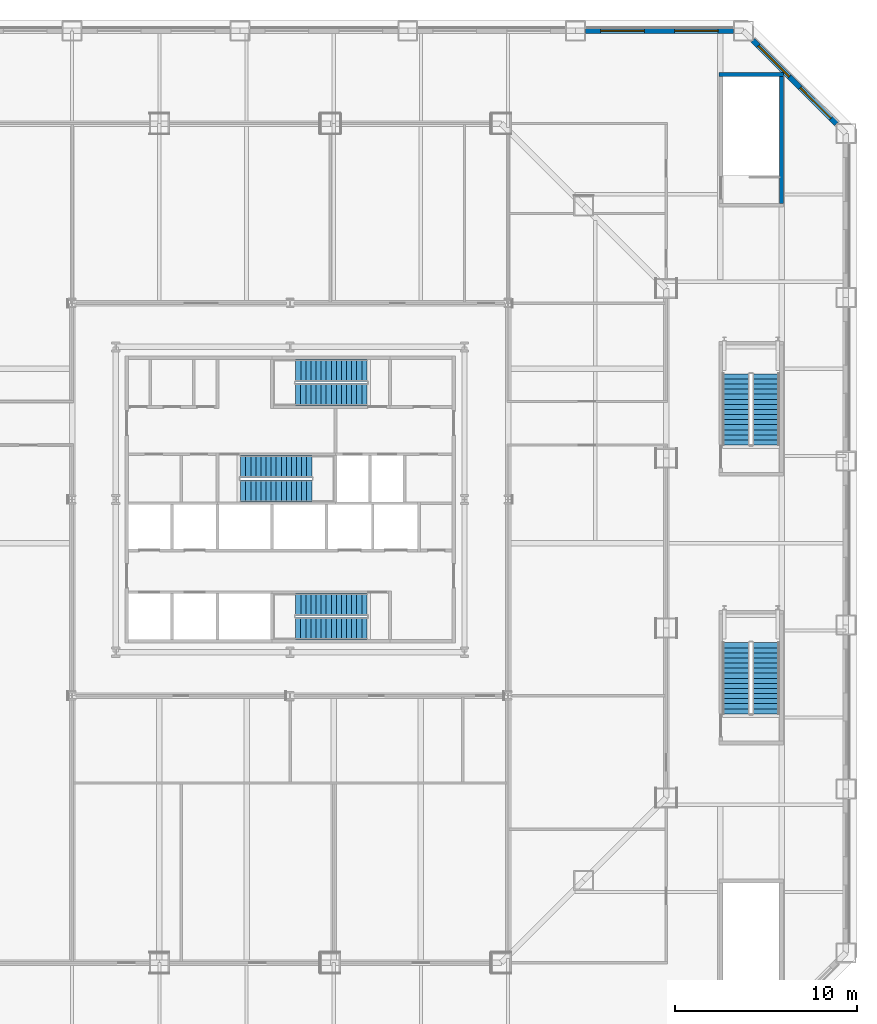
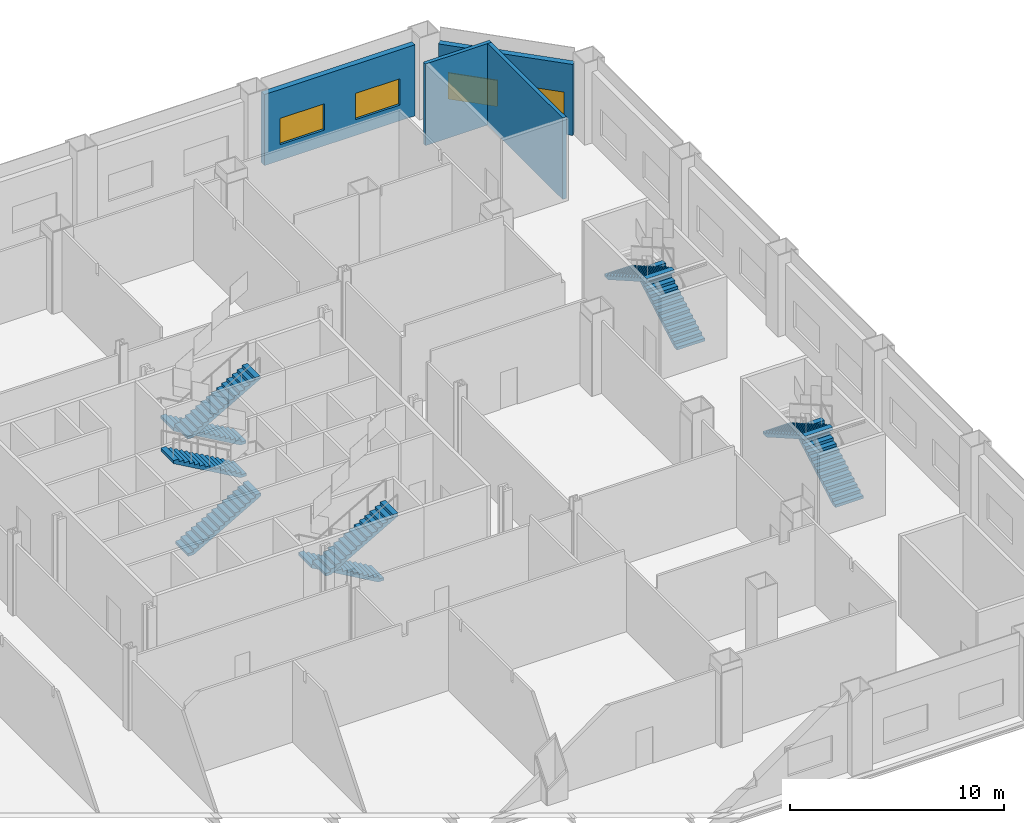
# One storey, part 16 of 22: 10 stair flights, 4 walls, 4 windows, 4 openings, 5 elements without a shape of their own.
"""IFC4 building model written with IfcOpenShell, lengths in metres."""

from ifc_helpers import new_model, si_unit, direction, frame, frame_2d, origin, place, context, subcontext, project, spatial, polyline, rectangle, outline, extrude, material, layer, layer_set, type_object, element, fill, aggregate, save


model = new_model("IFC4")

# Units and contexts
model_context = context("Model", 3, precision=1e-05, world=origin(), true_north=direction((0.0, 1.0)))
body_context = subcontext(model_context, "Body", "Model", "MODEL_VIEW")
ifc_project = project(units=[si_unit("LENGTHUNIT", "METRE"), si_unit("AREAUNIT", "SQUARE_METRE"), si_unit("VOLUMEUNIT", "CUBIC_METRE"), si_unit("PLANEANGLEUNIT", "RADIAN"), si_unit("MASSUNIT", "GRAM", prefix="KILO")], contexts=[model_context])

# Site, building, storey
site_placement = place(None, origin())
site = spatial("IfcSite", under=ifc_project, at=site_placement, CompositionType="ELEMENT")
building_placement = place(site_placement, origin())
building = spatial("IfcBuilding", under=site, at=building_placement, Name="Cairn Pilgrim Tower", CompositionType="ELEMENT")
storey_placement = place(building_placement, frame((0.0, 0.0, 35.39990234375)))
storey = spatial("IfcBuildingStorey", under=building, at=storey_placement, Name="L06", CompositionType="ELEMENT", Elevation=35.39990234375)

# Walls
ifc_material_1 = material(Name="Concrete C35/45", Category="concrete")
ifc_layer_1 = layer(ifc_material_1, 0.199951171875)
ifc_layer_set_1 = layer_set([ifc_layer_1], Name="PODIUM STAIR WALL 200 EI 120")
wall_type_1 = type_object("IfcWallType", Name="PODIUM STAIR WALL 200 EI 120", PredefinedType="SOLIDWALL", material=ifc_layer_set_1)
wall_1_placement = place(storey_placement, frame((34.25, 18.699951171875, 0.0), z_axis=(0.0, 0.0, 1.0), x_axis=(0.0, 1.0, 0.0)))
element("IfcWall", 1, at=wall_1_placement, inside=storey, type_object=wall_type_1, Name="STAIR SHAFT WALL W068", PredefinedType="SOLIDWALL", context=body_context, shape_type="SweptSolid", body=[
    extrude(rectangle(XDim=7.0, YDim=0.199951171875, at=frame_2d((3.5, 0.0))), origin(), (0.0, 0.0, 1.0), 4.650146484375),
])
wall_2_placement = place(storey_placement, frame((30.800048828125, 25.800048828125, 0.0), z_axis=(0.0, 0.0, 1.0), x_axis=(1.0, 0.0, 0.0)))
element("IfcWall", 2, at=wall_2_placement, inside=storey, type_object=wall_type_1, Name="STAIR SHAFT WALL W079", PredefinedType="SOLIDWALL", context=body_context, shape_type="SweptSolid", body=[
    extrude(rectangle(XDim=3.550048828125, YDim=0.199951171875, at=frame_2d((1.77490234375, 0.0))), origin(), (0.0, 0.0, 1.0), 4.650146484375),
])

# Wall, openings, windows
ifc_material_2 = material(Name="Concrete C35/45 backup wall with bronze aluminium cladding", Category="concrete")
ifc_layer_2 = layer(ifc_material_2, 0.300048828125)
ifc_layer_set_2 = layer_set([ifc_layer_2], Name="PODIUM WALL 300 BRONZE-CLAD")
wall_type_2 = type_object("IfcWallType", Name="PODIUM WALL 300 BRONZE-CLAD", PredefinedType="SOLIDWALL", material=ifc_layer_set_2)
wall_3_placement = place(storey_placement, frame((37.276611328125, 23.07470703125, 0.0), z_axis=(0.0, 0.0, 1.0), x_axis=(-0.707088024292, 0.707125537583, 0.0)))
wall_3 = element("IfcWall", 3, at=wall_3_placement, inside=storey, type_object=wall_type_2, Name="PODIUM EXTERNAL WALL NE1-N1", PredefinedType="SOLIDWALL", context=body_context, shape_type="SweptSolid", body=[
    extrude(rectangle(XDim=6.508056640625, YDim=0.300048828125, at=frame_2d((3.25390625, 0.0))), origin(), (0.0, 0.0, 1.0), 4.050048828125),
])
opening_1_placement = place(wall_3_placement, frame((0.427001953125, 0.0, 0.89990234375)))
opening_1 = element("IfcOpeningElement", 4, at=opening_1_placement, cuts=wall_3, Name="Opening PW15", PredefinedType="OPENING", context=body_context, shape_type="SweptSolid", body=[
    extrude(rectangle(XDim=2.39990234375, YDim=1.5, at=frame_2d((1.199951171875, 0.75))), frame((0.0, 0.16015625, 0.0), z_axis=(0.0, -1.0, 0.0), x_axis=(1.0, 0.0, 0.0)), (0.0, 0.0, 1.0), 0.320068359375),
])
opening_2_placement = place(wall_3_placement, frame((3.68115234375, 0.0, 0.89990234375)))
opening_2 = element("IfcOpeningElement", 5, at=opening_2_placement, cuts=wall_3, Name="Opening PW15", PredefinedType="OPENING", context=body_context, shape_type="SweptSolid", body=[
    extrude(rectangle(XDim=2.39990234375, YDim=1.5, at=frame_2d((1.199951171875, 0.75))), frame((0.0, 0.16015625, 0.0), z_axis=(0.0, -1.0, 0.0), x_axis=(1.0, 0.0, 0.0)), (0.0, 0.0, 1.0), 0.320068359375),
])
ifc_material_3 = material(Name="Bronze anodised aluminium frame with tinted low-E glass", Category="aluminium")
window_type = type_object("IfcWindowType", Name="PODIUM FIXED WINDOW 2400x1500", PartitioningType="SINGLE_PANEL", PredefinedType="WINDOW", material=ifc_material_3)
window_1_placement = place(opening_1_placement, origin())
window_1 = element("IfcWindow", 6, at=window_1_placement, inside=storey, type_object=window_type, Name="PODIUM WINDOW", OverallHeight=1.5, OverallWidth=2.39990234375, PartitioningType="SINGLE_PANEL", PredefinedType="WINDOW", context=body_context, shape_type="SweptSolid", body=[
    extrude(rectangle(XDim=2.39990234375, YDim=1.5, at=frame_2d((1.199951171875, 0.75))), frame((0.0, 0.030029296875, 0.0), z_axis=(0.0, -1.0, 0.0), x_axis=(1.0, 0.0, 0.0)), (0.0, 0.0, 1.0), 0.06005859375),
])
fill(opening_1, window_1)
window_2_placement = place(opening_2_placement, origin())
window_2 = element("IfcWindow", 7, at=window_2_placement, inside=storey, type_object=window_type, Name="PODIUM WINDOW", OverallHeight=1.5, OverallWidth=2.39990234375, PartitioningType="SINGLE_PANEL", PredefinedType="WINDOW", context=body_context, shape_type="SweptSolid", body=[
    extrude(rectangle(XDim=2.39990234375, YDim=1.5, at=frame_2d((1.199951171875, 0.75))), frame((0.0, 0.030029296875, 0.0), z_axis=(0.0, -1.0, 0.0), x_axis=(1.0, 0.0, 0.0)), (0.0, 0.0, 1.0), 0.06005859375),
])
fill(opening_2, window_2)

wall_4_placement = place(storey_placement, frame((31.6015625, 28.199951171875, 0.0), z_axis=(0.0, 0.0, 1.0), x_axis=(-1.0, 0.0, 0.0)))
wall_4 = element("IfcWall", 8, at=wall_4_placement, inside=storey, type_object=wall_type_2, Name="PODIUM EXTERNAL WALL N1-N2", PredefinedType="SOLIDWALL", context=body_context, shape_type="SweptSolid", body=[
    extrude(rectangle(XDim=8.137939453125, YDim=0.300048828125, at=frame_2d((4.06884765625, 0.0))), origin(), (0.0, 0.0, 1.0), 4.050048828125),
])
opening_3_placement = place(wall_4_placement, frame((0.83447265625, 0.0, 0.89990234375)))
opening_3 = element("IfcOpeningElement", 9, at=opening_3_placement, cuts=wall_4, Name="Opening PW15", PredefinedType="OPENING", context=body_context, shape_type="SweptSolid", body=[
    extrude(rectangle(XDim=2.39990234375, YDim=1.5, at=frame_2d((1.199951171875, 0.75))), frame((0.0, 0.16015625, 0.0), z_axis=(0.0, -1.0, 0.0), x_axis=(1.0, 0.0, 0.0)), (0.0, 0.0, 1.0), 0.320068359375),
])
opening_4_placement = place(wall_4_placement, frame((4.9033203125, 0.0, 0.89990234375)))
opening_4 = element("IfcOpeningElement", 10, at=opening_4_placement, cuts=wall_4, Name="Opening PW15", PredefinedType="OPENING", context=body_context, shape_type="SweptSolid", body=[
    extrude(rectangle(XDim=2.39990234375, YDim=1.5, at=frame_2d((1.199951171875, 0.75))), frame((0.0, 0.16015625, 0.0), z_axis=(0.0, -1.0, 0.0), x_axis=(1.0, 0.0, 0.0)), (0.0, 0.0, 1.0), 0.320068359375),
])
window_3_placement = place(opening_3_placement, origin())
window_3 = element("IfcWindow", 11, at=window_3_placement, inside=storey, type_object=window_type, Name="PODIUM WINDOW", OverallHeight=1.5, OverallWidth=2.39990234375, PartitioningType="SINGLE_PANEL", PredefinedType="WINDOW", context=body_context, shape_type="SweptSolid", body=[
    extrude(rectangle(XDim=2.39990234375, YDim=1.5, at=frame_2d((1.199951171875, 0.75))), frame((0.0, 0.030029296875, 0.0), z_axis=(0.0, -1.0, 0.0), x_axis=(1.0, 0.0, 0.0)), (0.0, 0.0, 1.0), 0.06005859375),
])
fill(opening_3, window_3)
window_4_placement = place(opening_4_placement, origin())
window_4 = element("IfcWindow", 12, at=window_4_placement, inside=storey, type_object=window_type, Name="PODIUM WINDOW", OverallHeight=1.5, OverallWidth=2.39990234375, PartitioningType="SINGLE_PANEL", PredefinedType="WINDOW", context=body_context, shape_type="SweptSolid", body=[
    extrude(rectangle(XDim=2.39990234375, YDim=1.5, at=frame_2d((1.199951171875, 0.75))), frame((0.0, 0.030029296875, 0.0), z_axis=(0.0, -1.0, 0.0), x_axis=(1.0, 0.0, 0.0)), (0.0, 0.0, 1.0), 0.06005859375),
])
fill(opening_4, window_4)

# Stair, stair flights
stair_type_1 = type_object("IfcStairType", Name="PODIUM EXIT STAIR 1500", PredefinedType="HALF_TURN_STAIR", material=ifc_material_1)
stair_1_placement = place(storey_placement, origin())
stair_1 = element("IfcStair", 13, at=stair_1_placement, inside=storey, type_object=stair_type_1, Name="L06 Exit Stair Es2", PredefinedType="HALF_TURN_STAIR")
stair_flight_type_1 = type_object("IfcStairFlightType", Name="PODIUM STAIR FLIGHT 1500", PredefinedType="STRAIGHT", material=ifc_material_1)
stair_flight_1_placement = place(storey_placement, frame((33.39990234375, -9.39990234375, 0.0), z_axis=(0.0, 0.0, 1.0), x_axis=(0.0, 1.0, 0.0)))
stair_flight_1 = element("IfcStairFlight", 14, at=stair_flight_1_placement, type_object=stair_flight_type_1, Name="ST-ES2 flight 1", NumberOfRisers=15, NumberOfTreads=14, PredefinedType="STRAIGHT", RiserHeight=0.16, TreadLength=0.28, context=body_context, shape_type="SweptSolid", body=[
    extrude(outline(polyline([(0.0, 0.0), (0.0, 0.159912109375), (0.280029296875, 0.159912109375), (0.280029296875, 0.320068359375), (0.56005859375, 0.320068359375), (0.56005859375, 0.47998046875), (0.840087890625, 0.47998046875), (0.840087890625, 0.639892578125), (1.1201171875, 0.639892578125), (1.1201171875, 0.800048828125), (1.39990234375, 0.800048828125), (1.39990234375, 0.9599609375), (1.679931640625, 0.9599609375), (1.679931640625, 1.1201171875), (1.9599609375, 1.1201171875), (1.9599609375, 1.280029296875), (2.239990234375, 1.280029296875), (2.239990234375, 1.43994140625), (2.52001953125, 1.43994140625), (2.52001953125, 1.60009765625), (2.800048828125, 1.60009765625), (2.800048828125, 1.760009765625), (3.080078125, 1.760009765625), (3.080078125, 1.919921875), (3.360107421875, 1.919921875), (3.360107421875, 2.080078125), (3.639892578125, 2.080078125), (3.639892578125, 2.239990234375), (3.919921875, 2.239990234375), (3.919921875, 2.39990234375), (3.919921875, 2.0673828125), (0.30224609375, 0.0), (0.0, 0.0)])), frame((0.0, 0.75, 0.0), z_axis=(0.0, -1.0, 0.0), x_axis=(1.0, 0.0, 0.0)), (0.0, 0.0, 1.0), 1.5),
])
stair_flight_2_placement = place(storey_placement, frame((31.75, -5.47998046875, 2.400146484375), z_axis=(0.0, 0.0, 1.0), x_axis=(0.0, -1.0, 0.0)))
stair_flight_2 = element("IfcStairFlight", 15, at=stair_flight_2_placement, type_object=stair_flight_type_1, Name="ST-ES2 flight 2", NumberOfRisers=15, NumberOfTreads=14, PredefinedType="STRAIGHT", RiserHeight=0.16, TreadLength=0.28, context=body_context, shape_type="SweptSolid", body=[
    extrude(outline(polyline([(0.0, 0.0), (0.0, 0.159912109375), (0.280029296875, 0.159912109375), (0.280029296875, 0.320068359375), (0.56005859375, 0.320068359375), (0.56005859375, 0.47998046875), (0.840087890625, 0.47998046875), (0.840087890625, 0.639892578125), (1.1201171875, 0.639892578125), (1.1201171875, 0.800048828125), (1.39990234375, 0.800048828125), (1.39990234375, 0.9599609375), (1.679931640625, 0.9599609375), (1.679931640625, 1.1201171875), (1.9599609375, 1.1201171875), (1.9599609375, 1.280029296875), (2.239990234375, 1.280029296875), (2.239990234375, 1.43994140625), (2.52001953125, 1.43994140625), (2.52001953125, 1.60009765625), (2.800048828125, 1.60009765625), (2.800048828125, 1.760009765625), (3.080078125, 1.760009765625), (3.080078125, 1.919921875), (3.360107421875, 1.919921875), (3.360107421875, 2.080078125), (3.639892578125, 2.080078125), (3.639892578125, 2.239990234375), (3.919921875, 2.239990234375), (3.919921875, 2.39990234375), (3.919921875, 2.0673828125), (0.30224609375, 0.0), (0.0, 0.0)])), frame((0.0, 0.75, 0.0), z_axis=(0.0, -1.0, 0.0), x_axis=(1.0, 0.0, 0.0)), (0.0, 0.0, 1.0), 1.5),
])
aggregate(stair_1, [stair_flight_1, stair_flight_2])

stair_2_placement = place(storey_placement, origin())
stair_2 = element("IfcStair", 16, at=stair_2_placement, inside=storey, type_object=stair_type_1, Name="L06 Exit Stair Es3", PredefinedType="HALF_TURN_STAIR")
stair_flight_3_placement = place(storey_placement, frame((33.39990234375, 5.39990234375, 0.0), z_axis=(0.0, 0.0, 1.0), x_axis=(0.0, 1.0, 0.0)))
stair_flight_3 = element("IfcStairFlight", 17, at=stair_flight_3_placement, type_object=stair_flight_type_1, Name="ST-ES3 flight 1", NumberOfRisers=15, NumberOfTreads=14, PredefinedType="STRAIGHT", RiserHeight=0.16, TreadLength=0.28, context=body_context, shape_type="SweptSolid", body=[
    extrude(outline(polyline([(0.0, 0.0), (0.0, 0.159912109375), (0.280029296875, 0.159912109375), (0.280029296875, 0.320068359375), (0.56005859375, 0.320068359375), (0.56005859375, 0.47998046875), (0.840087890625, 0.47998046875), (0.840087890625, 0.639892578125), (1.1201171875, 0.639892578125), (1.1201171875, 0.800048828125), (1.39990234375, 0.800048828125), (1.39990234375, 0.9599609375), (1.679931640625, 0.9599609375), (1.679931640625, 1.1201171875), (1.9599609375, 1.1201171875), (1.9599609375, 1.280029296875), (2.239990234375, 1.280029296875), (2.239990234375, 1.43994140625), (2.52001953125, 1.43994140625), (2.52001953125, 1.60009765625), (2.800048828125, 1.60009765625), (2.800048828125, 1.760009765625), (3.080078125, 1.760009765625), (3.080078125, 1.919921875), (3.360107421875, 1.919921875), (3.360107421875, 2.080078125), (3.639892578125, 2.080078125), (3.639892578125, 2.239990234375), (3.919921875, 2.239990234375), (3.919921875, 2.39990234375), (3.919921875, 2.0673828125), (0.30224609375, 0.0), (0.0, 0.0)])), frame((0.0, 0.75, 0.0), z_axis=(0.0, -1.0, 0.0), x_axis=(1.0, 0.0, 0.0)), (0.0, 0.0, 1.0), 1.5),
])
stair_flight_4_placement = place(storey_placement, frame((31.75, 9.320068359375, 2.400146484375), z_axis=(0.0, 0.0, 1.0), x_axis=(0.0, -1.0, 0.0)))
stair_flight_4 = element("IfcStairFlight", 18, at=stair_flight_4_placement, type_object=stair_flight_type_1, Name="ST-ES3 flight 2", NumberOfRisers=15, NumberOfTreads=14, PredefinedType="STRAIGHT", RiserHeight=0.16, TreadLength=0.28, context=body_context, shape_type="SweptSolid", body=[
    extrude(outline(polyline([(0.0, 0.0), (0.0, 0.159912109375), (0.280029296875, 0.159912109375), (0.280029296875, 0.320068359375), (0.56005859375, 0.320068359375), (0.56005859375, 0.47998046875), (0.840087890625, 0.47998046875), (0.840087890625, 0.639892578125), (1.1201171875, 0.639892578125), (1.1201171875, 0.800048828125), (1.39990234375, 0.800048828125), (1.39990234375, 0.9599609375), (1.679931640625, 0.9599609375), (1.679931640625, 1.1201171875), (1.9599609375, 1.1201171875), (1.9599609375, 1.280029296875), (2.239990234375, 1.280029296875), (2.239990234375, 1.43994140625), (2.52001953125, 1.43994140625), (2.52001953125, 1.60009765625), (2.800048828125, 1.60009765625), (2.800048828125, 1.760009765625), (3.080078125, 1.760009765625), (3.080078125, 1.919921875), (3.360107421875, 1.919921875), (3.360107421875, 2.080078125), (3.639892578125, 2.080078125), (3.639892578125, 2.239990234375), (3.919921875, 2.239990234375), (3.919921875, 2.39990234375), (3.919921875, 2.0673828125), (0.30224609375, 0.0), (0.0, 0.0)])), frame((0.0, 0.75, 0.0), z_axis=(0.0, -1.0, 0.0), x_axis=(1.0, 0.0, 0.0)), (0.0, 0.0, 1.0), 1.5),
])
aggregate(stair_2, [stair_flight_3, stair_flight_4])

ifc_material_4 = material(Name="Concrete C32/40", Category="concrete")
stair_type_2 = type_object("IfcStairType", Name="EXIT STAIR 1200", PredefinedType="HALF_TURN_STAIR", material=ifc_material_4)
stair_3_placement = place(storey_placement, origin())
stair_3 = element("IfcStair", 19, at=stair_3_placement, inside=storey, type_object=stair_type_2, Name="L06 Exit Stair A", PredefinedType="HALF_TURN_STAIR")
stair_flight_type_2 = type_object("IfcStairFlightType", Name="STAIR FLIGHT 1200", PredefinedType="STRAIGHT", material=ifc_material_4)
stair_flight_5_placement = place(storey_placement, frame((11.425048828125, -3.375, 0.0), z_axis=(0.0, 0.0, 1.0), x_axis=(-1.0, 0.0, 0.0)))
stair_flight_5 = element("IfcStairFlight", 20, at=stair_flight_5_placement, type_object=stair_flight_type_2, Name="ST-A flight 1", NumberOfRisers=15, NumberOfTreads=14, PredefinedType="STRAIGHT", RiserHeight=0.16, TreadLength=0.28, context=body_context, shape_type="SweptSolid", body=[
    extrude(outline(polyline([(0.0, 0.0), (0.0, 0.159912109375), (0.280029296875, 0.159912109375), (0.280029296875, 0.320068359375), (0.56005859375, 0.320068359375), (0.56005859375, 0.47998046875), (0.840087890625, 0.47998046875), (0.840087890625, 0.639892578125), (1.1201171875, 0.639892578125), (1.1201171875, 0.800048828125), (1.39990234375, 0.800048828125), (1.39990234375, 0.9599609375), (1.679931640625, 0.9599609375), (1.679931640625, 1.1201171875), (1.9599609375, 1.1201171875), (1.9599609375, 1.280029296875), (2.239990234375, 1.280029296875), (2.239990234375, 1.43994140625), (2.52001953125, 1.43994140625), (2.52001953125, 1.60009765625), (2.800048828125, 1.60009765625), (2.800048828125, 1.760009765625), (3.080078125, 1.760009765625), (3.080078125, 1.919921875), (3.360107421875, 1.919921875), (3.360107421875, 2.080078125), (3.639892578125, 2.080078125), (3.639892578125, 2.239990234375), (3.919921875, 2.239990234375), (3.919921875, 2.39990234375), (3.919921875, 2.0673828125), (0.30224609375, 0.0), (0.0, 0.0)])), frame((0.0, 0.60009765625, 0.0), z_axis=(0.0, -1.0, 0.0), x_axis=(1.0, 0.0, 0.0)), (0.0, 0.0, 1.0), 1.199951171875),
])
stair_flight_6_placement = place(storey_placement, frame((7.5048828125, -4.699951171875, 2.400146484375), z_axis=(0.0, 0.0, 1.0), x_axis=(1.0, 0.0, 0.0)))
stair_flight_6 = element("IfcStairFlight", 21, at=stair_flight_6_placement, type_object=stair_flight_type_2, Name="ST-A flight 2", NumberOfRisers=15, NumberOfTreads=14, PredefinedType="STRAIGHT", RiserHeight=0.16, TreadLength=0.28, context=body_context, shape_type="SweptSolid", body=[
    extrude(outline(polyline([(0.0, 0.0), (0.0, 0.159912109375), (0.280029296875, 0.159912109375), (0.280029296875, 0.320068359375), (0.56005859375, 0.320068359375), (0.56005859375, 0.47998046875), (0.840087890625, 0.47998046875), (0.840087890625, 0.639892578125), (1.1201171875, 0.639892578125), (1.1201171875, 0.800048828125), (1.39990234375, 0.800048828125), (1.39990234375, 0.9599609375), (1.679931640625, 0.9599609375), (1.679931640625, 1.1201171875), (1.9599609375, 1.1201171875), (1.9599609375, 1.280029296875), (2.239990234375, 1.280029296875), (2.239990234375, 1.43994140625), (2.52001953125, 1.43994140625), (2.52001953125, 1.60009765625), (2.800048828125, 1.60009765625), (2.800048828125, 1.760009765625), (3.080078125, 1.760009765625), (3.080078125, 1.919921875), (3.360107421875, 1.919921875), (3.360107421875, 2.080078125), (3.639892578125, 2.080078125), (3.639892578125, 2.239990234375), (3.919921875, 2.239990234375), (3.919921875, 2.39990234375), (3.919921875, 2.0673828125), (0.30224609375, 0.0), (0.0, 0.0)])), frame((0.0, 0.60009765625, 0.0), z_axis=(0.0, -1.0, 0.0), x_axis=(1.0, 0.0, 0.0)), (0.0, 0.0, 1.0), 1.199951171875),
])
aggregate(stair_3, [stair_flight_5, stair_flight_6])

stair_4_placement = place(storey_placement, origin())
stair_4 = element("IfcStair", 22, at=stair_4_placement, inside=storey, type_object=stair_type_2, Name="L06 Exit Stair B", PredefinedType="HALF_TURN_STAIR")
stair_flight_7_placement = place(storey_placement, frame((4.47509765625, 2.875, 0.0), z_axis=(0.0, 0.0, 1.0), x_axis=(1.0, 0.0, 0.0)))
stair_flight_7 = element("IfcStairFlight", 23, at=stair_flight_7_placement, type_object=stair_flight_type_2, Name="ST-B flight 1", NumberOfRisers=15, NumberOfTreads=14, PredefinedType="STRAIGHT", RiserHeight=0.16, TreadLength=0.28, context=body_context, shape_type="SweptSolid", body=[
    extrude(outline(polyline([(0.0, 0.0), (0.0, 0.159912109375), (0.280029296875, 0.159912109375), (0.280029296875, 0.320068359375), (0.56005859375, 0.320068359375), (0.56005859375, 0.47998046875), (0.840087890625, 0.47998046875), (0.840087890625, 0.639892578125), (1.1201171875, 0.639892578125), (1.1201171875, 0.800048828125), (1.39990234375, 0.800048828125), (1.39990234375, 0.9599609375), (1.679931640625, 0.9599609375), (1.679931640625, 1.1201171875), (1.9599609375, 1.1201171875), (1.9599609375, 1.280029296875), (2.239990234375, 1.280029296875), (2.239990234375, 1.43994140625), (2.52001953125, 1.43994140625), (2.52001953125, 1.60009765625), (2.800048828125, 1.60009765625), (2.800048828125, 1.760009765625), (3.080078125, 1.760009765625), (3.080078125, 1.919921875), (3.360107421875, 1.919921875), (3.360107421875, 2.080078125), (3.639892578125, 2.080078125), (3.639892578125, 2.239990234375), (3.919921875, 2.239990234375), (3.919921875, 2.39990234375), (3.919921875, 2.0673828125), (0.30224609375, 0.0), (0.0, 0.0)])), frame((0.0, 0.60009765625, 0.0), z_axis=(0.0, -1.0, 0.0), x_axis=(1.0, 0.0, 0.0)), (0.0, 0.0, 1.0), 1.199951171875),
])
stair_flight_8_placement = place(storey_placement, frame((8.39501953125, 4.22509765625, 2.400146484375), z_axis=(0.0, 0.0, 1.0), x_axis=(-1.0, 0.0, 0.0)))
stair_flight_8 = element("IfcStairFlight", 24, at=stair_flight_8_placement, type_object=stair_flight_type_2, Name="ST-B flight 2", NumberOfRisers=15, NumberOfTreads=14, PredefinedType="STRAIGHT", RiserHeight=0.16, TreadLength=0.28, context=body_context, shape_type="SweptSolid", body=[
    extrude(outline(polyline([(0.0, 0.0), (0.0, 0.159912109375), (0.280029296875, 0.159912109375), (0.280029296875, 0.320068359375), (0.56005859375, 0.320068359375), (0.56005859375, 0.47998046875), (0.840087890625, 0.47998046875), (0.840087890625, 0.639892578125), (1.1201171875, 0.639892578125), (1.1201171875, 0.800048828125), (1.39990234375, 0.800048828125), (1.39990234375, 0.9599609375), (1.679931640625, 0.9599609375), (1.679931640625, 1.1201171875), (1.9599609375, 1.1201171875), (1.9599609375, 1.280029296875), (2.239990234375, 1.280029296875), (2.239990234375, 1.43994140625), (2.52001953125, 1.43994140625), (2.52001953125, 1.60009765625), (2.800048828125, 1.60009765625), (2.800048828125, 1.760009765625), (3.080078125, 1.760009765625), (3.080078125, 1.919921875), (3.360107421875, 1.919921875), (3.360107421875, 2.080078125), (3.639892578125, 2.080078125), (3.639892578125, 2.239990234375), (3.919921875, 2.239990234375), (3.919921875, 2.39990234375), (3.919921875, 2.0673828125), (0.30224609375, 0.0), (0.0, 0.0)])), frame((0.0, 0.60009765625, 0.0), z_axis=(0.0, -1.0, 0.0), x_axis=(1.0, 0.0, 0.0)), (0.0, 0.0, 1.0), 1.199951171875),
])
aggregate(stair_4, [stair_flight_7, stair_flight_8])

stair_5_placement = place(storey_placement, origin())
stair_5 = element("IfcStair", 25, at=stair_5_placement, inside=storey, type_object=stair_type_2, Name="L06 Exit Stair C", PredefinedType="HALF_TURN_STAIR")
stair_flight_9_placement = place(storey_placement, frame((11.425048828125, 9.5, 0.0), z_axis=(0.0, 0.0, 1.0), x_axis=(-1.0, 0.0, 0.0)))
stair_flight_9 = element("IfcStairFlight", 26, at=stair_flight_9_placement, type_object=stair_flight_type_2, Name="ST-C flight 1", NumberOfRisers=15, NumberOfTreads=14, PredefinedType="STRAIGHT", RiserHeight=0.16, TreadLength=0.28, context=body_context, shape_type="SweptSolid", body=[
    extrude(outline(polyline([(0.0, 0.0), (0.0, 0.159912109375), (0.280029296875, 0.159912109375), (0.280029296875, 0.320068359375), (0.56005859375, 0.320068359375), (0.56005859375, 0.47998046875), (0.840087890625, 0.47998046875), (0.840087890625, 0.639892578125), (1.1201171875, 0.639892578125), (1.1201171875, 0.800048828125), (1.39990234375, 0.800048828125), (1.39990234375, 0.9599609375), (1.679931640625, 0.9599609375), (1.679931640625, 1.1201171875), (1.9599609375, 1.1201171875), (1.9599609375, 1.280029296875), (2.239990234375, 1.280029296875), (2.239990234375, 1.43994140625), (2.52001953125, 1.43994140625), (2.52001953125, 1.60009765625), (2.800048828125, 1.60009765625), (2.800048828125, 1.760009765625), (3.080078125, 1.760009765625), (3.080078125, 1.919921875), (3.360107421875, 1.919921875), (3.360107421875, 2.080078125), (3.639892578125, 2.080078125), (3.639892578125, 2.239990234375), (3.919921875, 2.239990234375), (3.919921875, 2.39990234375), (3.919921875, 2.0673828125), (0.30224609375, 0.0), (0.0, 0.0)])), frame((0.0, 0.60009765625, 0.0), z_axis=(0.0, -1.0, 0.0), x_axis=(1.0, 0.0, 0.0)), (0.0, 0.0, 1.0), 1.199951171875),
])
stair_flight_10_placement = place(storey_placement, frame((7.5048828125, 8.175048828125, 2.400146484375), z_axis=(0.0, 0.0, 1.0), x_axis=(1.0, 0.0, 0.0)))
stair_flight_10 = element("IfcStairFlight", 27, at=stair_flight_10_placement, type_object=stair_flight_type_2, Name="ST-C flight 2", NumberOfRisers=15, NumberOfTreads=14, PredefinedType="STRAIGHT", RiserHeight=0.16, TreadLength=0.28, context=body_context, shape_type="SweptSolid", body=[
    extrude(outline(polyline([(0.0, 0.0), (0.0, 0.159912109375), (0.280029296875, 0.159912109375), (0.280029296875, 0.320068359375), (0.56005859375, 0.320068359375), (0.56005859375, 0.47998046875), (0.840087890625, 0.47998046875), (0.840087890625, 0.639892578125), (1.1201171875, 0.639892578125), (1.1201171875, 0.800048828125), (1.39990234375, 0.800048828125), (1.39990234375, 0.9599609375), (1.679931640625, 0.9599609375), (1.679931640625, 1.1201171875), (1.9599609375, 1.1201171875), (1.9599609375, 1.280029296875), (2.239990234375, 1.280029296875), (2.239990234375, 1.43994140625), (2.52001953125, 1.43994140625), (2.52001953125, 1.60009765625), (2.800048828125, 1.60009765625), (2.800048828125, 1.760009765625), (3.080078125, 1.760009765625), (3.080078125, 1.919921875), (3.360107421875, 1.919921875), (3.360107421875, 2.080078125), (3.639892578125, 2.080078125), (3.639892578125, 2.239990234375), (3.919921875, 2.239990234375), (3.919921875, 2.39990234375), (3.919921875, 2.0673828125), (0.30224609375, 0.0), (0.0, 0.0)])), frame((0.0, 0.60009765625, 0.0), z_axis=(0.0, -1.0, 0.0), x_axis=(1.0, 0.0, 0.0)), (0.0, 0.0, 1.0), 1.199951171875),
])
aggregate(stair_5, [stair_flight_9, stair_flight_10])

save(model, "model.ifc")
